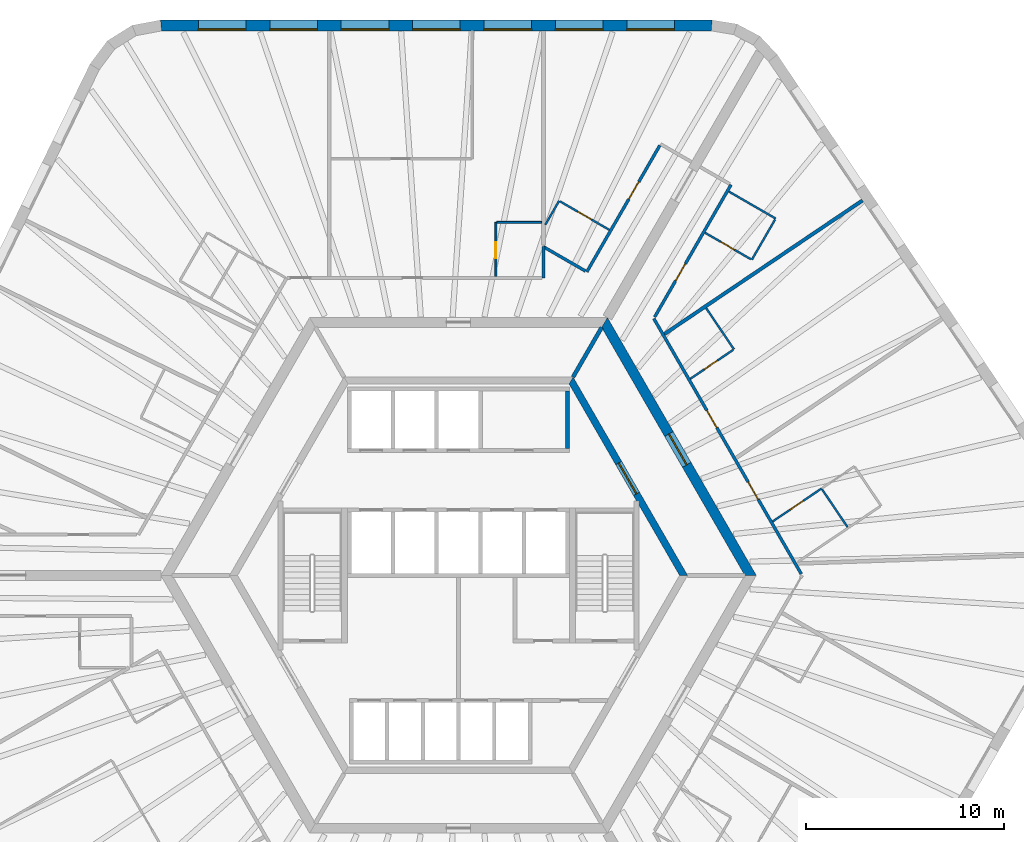
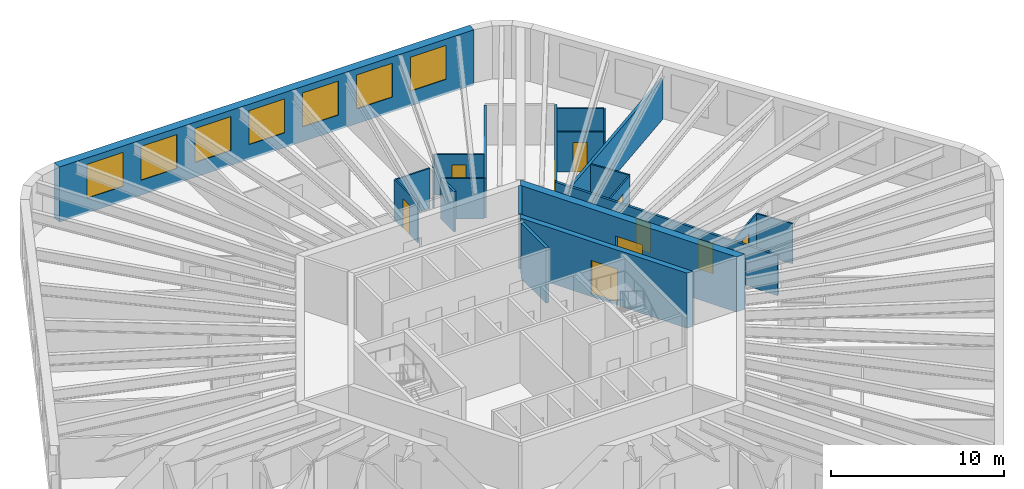
# One storey, part 8 of 10: 22 walls, 11 doors, 7 windows, 18 openings.
"""IFC4 building model written with IfcOpenShell, lengths in metres."""

from ifc_helpers import new_model, si_unit, direction, frame, frame_2d, origin, place, context, subcontext, project, spatial, polyline, rectangle, outline, extrude, material, layer, layer_set, type_object, element, fill, save


model = new_model("IFC4")

# Units and contexts
model_context = context("Model", 3, precision=1e-05, world=origin(), true_north=direction((0.0, 1.0)))
body_context = subcontext(model_context, "Body", "Model", "MODEL_VIEW")
ifc_project = project(units=[si_unit("LENGTHUNIT", "METRE"), si_unit("AREAUNIT", "SQUARE_METRE"), si_unit("VOLUMEUNIT", "CUBIC_METRE"), si_unit("PLANEANGLEUNIT", "RADIAN"), si_unit("MASSUNIT", "GRAM", prefix="KILO")], contexts=[model_context])

# Site, building, storey
site_placement = place(None, origin())
site = spatial("IfcSite", under=ifc_project, at=site_placement, CompositionType="ELEMENT")
building_placement = place(site_placement, origin())
building = spatial("IfcBuilding", under=site, at=building_placement, Name="Tarnside Tower", CompositionType="ELEMENT")
storey_placement = place(building_placement, frame((0.0, 0.0, 242.39990234375)))
storey = spatial("IfcBuildingStorey", under=building, at=storey_placement, Name="L58", CompositionType="ELEMENT", Elevation=242.39990234375)

# Wall
ifc_material_1 = material(Name="Gypsum board partition on steel studs", Category="steel")
ifc_layer_1 = layer(ifc_material_1, 0.10009765625)
ifc_layer_set_1 = layer_set([ifc_layer_1], Name="Bathroom wall 100")
wall_type_1 = type_object("IfcWallType", Name="Bathroom wall 100", PredefinedType="PARTITIONING", material=ifc_layer_set_1)
wall_1_placement = place(storey_placement, frame((4.3720703125, 17.6728515625, 0.0), z_axis=(0.0, 0.0, 1.0), x_axis=(0.50007068215, 0.86598459158, 0.0)))
element("IfcWall", 1, at=wall_1_placement, inside=storey, type_object=wall_type_1, Name="Bathroom wall 19051", PredefinedType="PARTITIONING", context=body_context, shape_type="SweptSolid", body=[
    extrude(rectangle(XDim=1.395751953125, YDim=0.10009765625, at=frame_2d((0.69775390625, 0.0))), origin(), (0.0, 0.0, 1.0), 2.837890625),
])

# Wall, opening, door
wall_2_placement = place(storey_placement, frame((5.11328125, 18.856689453125, 0.0), z_axis=(0.0, 0.0, 1.0), x_axis=(0.866039941686, -0.499974818771, 0.0)))
wall_2 = element("IfcWall", 2, at=wall_2_placement, inside=storey, type_object=wall_type_1, Name="Bathroom wall 19052", PredefinedType="PARTITIONING", context=body_context, shape_type="SweptSolid", body=[
    extrude(rectangle(XDim=2.875244140625, YDim=0.10009765625, at=frame_2d((1.4375, 0.0))), origin(), (0.0, 0.0, 1.0), 2.837890625),
])
opening_1_placement = place(wall_2_placement, frame((1.050048828125, 0.0, 0.0)))
opening_1 = element("IfcOpeningElement", 3, at=opening_1_placement, cuts=wall_2, Name="Opening D-B1", PredefinedType="OPENING", context=body_context, shape_type="SweptSolid", body=[
    extrude(rectangle(XDim=0.800048828125, YDim=2.10009765625, at=frame_2d((0.39990234375, 1.050048828125))), frame((0.0, 0.06005859375, 0.0), z_axis=(0.0, -1.0, 0.0), x_axis=(1.0, 0.0, 0.0)), (0.0, 0.0, 1.0), 0.1201171875),
])
ifc_material_2 = material(Name="Timber door leaf", Category="wood")
door_type_1 = type_object("IfcDoorType", Name="Bathroom door 800", OperationType="NOTDEFINED", PredefinedType="DOOR", material=ifc_material_2)
door_1_placement = place(opening_1_placement, origin())
door_1 = element("IfcDoor", 4, at=door_1_placement, inside=storey, type_object=door_type_1, Name="Bathroom door 19002", OperationType="SINGLE_SWING_RIGHT", OverallHeight=2.10009765625, OverallWidth=0.800048828125, PredefinedType="DOOR", context=body_context, shape_type="SweptSolid", body=[
    extrude(rectangle(XDim=0.800048828125, YDim=2.10009765625, at=frame_2d((0.39990234375, 1.050048828125))), frame((0.0, 0.02490234375, 0.0), z_axis=(0.0, -1.0, 0.0), x_axis=(1.0, 0.0, 0.0)), (0.0, 0.0, 1.0), 0.050048828125),
])
fill(opening_1, door_1)

wall_3_placement = place(storey_placement, frame((1.882080078125, 15.074951171875, 0.0), z_axis=(0.0, 0.0, 1.0), x_axis=(0.0, 1.0, 0.0)))
wall_3 = element("IfcWall", 5, at=wall_3_placement, inside=storey, type_object=wall_type_1, Name="Bathroom wall 19056", PredefinedType="PARTITIONING", context=body_context, shape_type="SweptSolid", body=[
    extrude(rectangle(XDim=2.72509765625, YDim=0.10009765625, at=frame_2d((1.362548828125, 0.0))), origin(), (0.0, 0.0, 1.0), 2.837890625),
])
opening_2_placement = place(wall_3_placement, frame((0.925048828125, 0.0, 0.0)))
opening_2 = element("IfcOpeningElement", 6, at=opening_2_placement, cuts=wall_3, Name="Opening D-B1", PredefinedType="OPENING", context=body_context, shape_type="SweptSolid", body=[
    extrude(rectangle(XDim=0.800048828125, YDim=2.10009765625, at=frame_2d((0.39990234375, 1.050048828125))), frame((0.0, 0.06005859375, 0.0), z_axis=(0.0, -1.0, 0.0), x_axis=(1.0, 0.0, 0.0)), (0.0, 0.0, 1.0), 0.1201171875),
])
door_2_placement = place(opening_2_placement, origin())
door_2 = element("IfcDoor", 7, at=door_2_placement, inside=storey, type_object=door_type_1, Name="Bathroom door 19004", OperationType="SINGLE_SWING_RIGHT", OverallHeight=2.10009765625, OverallWidth=0.800048828125, PredefinedType="DOOR", context=body_context, shape_type="SweptSolid", body=[
    extrude(rectangle(XDim=0.800048828125, YDim=2.10009765625, at=frame_2d((0.39990234375, 1.050048828125))), frame((0.0, 0.02490234375, 0.0), z_axis=(0.0, -1.0, 0.0), x_axis=(1.0, 0.0, 0.0)), (0.0, 0.0, 1.0), 0.050048828125),
])
fill(opening_2, door_2)

# Wall
wall_4_placement = place(storey_placement, frame((1.93212890625, 17.800048828125, 0.0), z_axis=(0.0, 0.0, 1.0), x_axis=(1.0, 0.0, 0.0)))
element("IfcWall", 8, at=wall_4_placement, inside=storey, type_object=wall_type_1, Name="Bathroom wall 19057", PredefinedType="PARTITIONING", context=body_context, shape_type="SweptSolid", body=[
    extrude(rectangle(XDim=2.260009765625, YDim=0.10009765625, at=frame_2d((1.1298828125, 0.0))), origin(), (0.0, 0.0, 1.0), 2.837890625),
])

# Wall, opening, door
wall_5_placement = place(storey_placement, frame((15.837646484375, 2.718505859375, 0.0), z_axis=(0.0, 0.0, 1.0), x_axis=(0.829027811096, 0.559207375156, 0.0)))
wall_5 = element("IfcWall", 9, at=wall_5_placement, inside=storey, type_object=wall_type_1, Name="Bathroom wall 19110", PredefinedType="PARTITIONING", context=body_context, shape_type="SweptSolid", body=[
    extrude(rectangle(XDim=2.9697265625, YDim=0.10009765625, at=frame_2d((1.48486328125, 0.0))), origin(), (0.0, 0.0, 1.0), 2.837890625),
])
opening_3_placement = place(wall_5_placement, frame((1.06982421875, 0.0, 0.0)))
opening_3 = element("IfcOpeningElement", 10, at=opening_3_placement, cuts=wall_5, Name="Opening D-B1", PredefinedType="OPENING", context=body_context, shape_type="SweptSolid", body=[
    extrude(rectangle(XDim=0.800048828125, YDim=2.10009765625, at=frame_2d((0.39990234375, 1.050048828125))), frame((0.0, 0.06005859375, 0.0), z_axis=(0.0, -1.0, 0.0), x_axis=(1.0, 0.0, 0.0)), (0.0, 0.0, 1.0), 0.1201171875),
])
door_3_placement = place(opening_3_placement, origin())
door_3 = element("IfcDoor", 11, at=door_3_placement, inside=storey, type_object=door_type_1, Name="Bathroom door 19033", OperationType="SINGLE_SWING_RIGHT", OverallHeight=2.10009765625, OverallWidth=0.800048828125, PredefinedType="DOOR", context=body_context, shape_type="SweptSolid", body=[
    extrude(rectangle(XDim=0.800048828125, YDim=2.10009765625, at=frame_2d((0.39990234375, 1.050048828125))), frame((0.0, 0.02490234375, 0.0), z_axis=(0.0, -1.0, 0.0), x_axis=(1.0, 0.0, 0.0)), (0.0, 0.0, 1.0), 0.050048828125),
])
fill(opening_3, door_3)

# Walls
wall_6_placement = place(storey_placement, frame((19.61376953125, 2.430908203125, 0.0), z_axis=(0.0, 0.0, 1.0), x_axis=(-0.559199358977, 0.829033218225, 0.0)))
element("IfcWall", 12, at=wall_6_placement, inside=storey, type_object=wall_type_1, Name="Bathroom wall 19116", PredefinedType="PARTITIONING", context=body_context, shape_type="SweptSolid", body=[
    extrude(rectangle(XDim=2.300048828125, YDim=0.10009765625, at=frame_2d((1.14990234375, 0.0))), origin(), (0.0, 0.0, 1.0), 2.837890625),
])
wall_7_placement = place(storey_placement, frame((12.482666015625, 13.47607421875, 0.0), z_axis=(0.0, 0.0, 1.0), x_axis=(0.559203861497, -0.829030181168, 0.0)))
element("IfcWall", 13, at=wall_7_placement, inside=storey, type_object=wall_type_1, Name="Bathroom wall 19117", PredefinedType="PARTITIONING", context=body_context, shape_type="SweptSolid", body=[
    extrude(rectangle(XDim=2.510009765625, YDim=0.10009765625, at=frame_2d((1.2548828125, 0.0))), origin(), (0.0, 0.0, 1.0), 2.837890625),
])

# Wall, opening, door
wall_8_placement = place(storey_placement, frame((13.8447265625, 11.3671875, 0.0), z_axis=(0.0, 0.0, 1.0), x_axis=(-0.829068087245, -0.55914766092, 0.0)))
wall_8 = element("IfcWall", 14, at=wall_8_placement, inside=storey, type_object=wall_type_1, Name="Bathroom wall 19118", PredefinedType="PARTITIONING", context=body_context, shape_type="SweptSolid", body=[
    extrude(rectangle(XDim=2.60498046875, YDim=0.10009765625, at=frame_2d((1.302490234375, 0.0))), origin(), (0.0, 0.0, 1.0), 2.837890625),
])
opening_4_placement = place(wall_8_placement, frame((0.949951171875, 0.0, 0.0)))
opening_4 = element("IfcOpeningElement", 15, at=opening_4_placement, cuts=wall_8, Name="Opening D-B1", PredefinedType="OPENING", context=body_context, shape_type="SweptSolid", body=[
    extrude(rectangle(XDim=0.800048828125, YDim=2.10009765625, at=frame_2d((0.39990234375, 1.050048828125))), frame((0.0, 0.06005859375, 0.0), z_axis=(0.0, -1.0, 0.0), x_axis=(1.0, 0.0, 0.0)), (0.0, 0.0, 1.0), 0.1201171875),
])
door_4_placement = place(opening_4_placement, origin())
door_4 = element("IfcDoor", 16, at=door_4_placement, inside=storey, type_object=door_type_1, Name="Bathroom door 19036", OperationType="SINGLE_SWING_LEFT", OverallHeight=2.10009765625, OverallWidth=0.800048828125, PredefinedType="DOOR", context=body_context, shape_type="SweptSolid", body=[
    extrude(rectangle(XDim=0.800048828125, YDim=2.10009765625, at=frame_2d((0.39990234375, 1.050048828125))), frame((0.0, 0.02490234375, 0.0), z_axis=(0.0, -1.0, 0.0), x_axis=(1.0, 0.0, 0.0)), (0.0, 0.0, 1.0), 0.050048828125),
])
fill(opening_4, door_4)

# Walls
wall_9_placement = place(storey_placement, frame((13.626708984375, 19.352294921875, 0.0), z_axis=(0.0, 0.0, 1.0), x_axis=(0.866012511928, -0.500022328685, 0.0)))
element("IfcWall", 17, at=wall_9_placement, inside=storey, type_object=wall_type_1, Name="Bathroom wall 19121", PredefinedType="PARTITIONING", context=body_context, shape_type="SweptSolid", body=[
    extrude(rectangle(XDim=2.72509765625, YDim=0.10009765625, at=frame_2d((1.362548828125, 0.0))), origin(), (0.0, 0.0, 1.0), 2.837890625),
])
wall_10_placement = place(storey_placement, frame((15.961669921875, 17.946533203125, 0.0), z_axis=(0.0, 0.0, 1.0), x_axis=(-0.500016218704, -0.866016039709, 0.0)))
element("IfcWall", 18, at=wall_10_placement, inside=storey, type_object=wall_type_1, Name="Bathroom wall 19122", PredefinedType="PARTITIONING", context=body_context, shape_type="SweptSolid", body=[
    extrude(rectangle(XDim=2.35009765625, YDim=0.10009765625, at=frame_2d((1.175048828125, 0.0))), origin(), (0.0, 0.0, 1.0), 2.837890625),
])

# Wall, opening, door
wall_11_placement = place(storey_placement, frame((14.743408203125, 15.936279296875, 0.0), z_axis=(0.0, 0.0, 1.0), x_axis=(-0.86604424267, 0.499967368674, 0.0)))
wall_11 = element("IfcWall", 19, at=wall_11_placement, inside=storey, type_object=wall_type_1, Name="Bathroom wall 19123", PredefinedType="PARTITIONING", context=body_context, shape_type="SweptSolid", body=[
    extrude(rectangle(XDim=2.675048828125, YDim=0.10009765625, at=frame_2d((1.33740234375, 0.0))), origin(), (0.0, 0.0, 1.0), 2.837890625),
])
opening_5_placement = place(wall_11_placement, frame((0.949951171875, 0.0, 0.0)))
opening_5 = element("IfcOpeningElement", 20, at=opening_5_placement, cuts=wall_11, Name="Opening D-B1", PredefinedType="OPENING", context=body_context, shape_type="SweptSolid", body=[
    extrude(rectangle(XDim=0.800048828125, YDim=2.10009765625, at=frame_2d((0.39990234375, 1.050048828125))), frame((0.0, 0.06005859375, 0.0), z_axis=(0.0, -1.0, 0.0), x_axis=(1.0, 0.0, 0.0)), (0.0, 0.0, 1.0), 0.1201171875),
])
door_5_placement = place(opening_5_placement, origin())
door_5 = element("IfcDoor", 21, at=door_5_placement, inside=storey, type_object=door_type_1, Name="Bathroom door 19038", OperationType="SINGLE_SWING_RIGHT", OverallHeight=2.10009765625, OverallWidth=0.800048828125, PredefinedType="DOOR", context=body_context, shape_type="SweptSolid", body=[
    extrude(rectangle(XDim=0.800048828125, YDim=2.10009765625, at=frame_2d((0.39990234375, 1.050048828125))), frame((0.0, 0.02490234375, 0.0), z_axis=(0.0, -1.0, 0.0), x_axis=(1.0, 0.0, 0.0)), (0.0, 0.0, 1.0), 0.050048828125),
])
fill(opening_5, door_5)

ifc_material_3 = material(Name="Concrete C50/60", Category="concrete")
ifc_layer_2 = layer(ifc_material_3, 0.35009765625)
ifc_layer_set_2 = layer_set([ifc_layer_2], Name="Core block wall 350 C50/60")
wall_type_2 = type_object("IfcWallType", Name="Core block wall 350 C50/60", PredefinedType="SHEAR", material=ifc_layer_set_2)
wall_12_placement = place(storey_placement, frame((11.344970703125, 0.0, -0.14990234375), z_axis=(0.0, 0.0, 1.0), x_axis=(-0.499995046907, 0.866028263435, 0.0)))
wall_12 = element("IfcWall", 22, at=wall_12_placement, inside=storey, type_object=wall_type_2, Name="L58 core block wall face 6", PredefinedType="SHEAR", context=body_context, shape_type="SweptSolid", body=[
    extrude(outline(polyline([(-0.10107421875, -0.175048828125), (11.44580078125, -0.175048828125), (11.24365234375, 0.175048828125), (0.10107421875, 0.175048828125), (-0.10107421875, -0.175048828125)])), origin(), (0.0, 0.0, 1.0), 3.89990234375),
])
opening_6_placement = place(wall_12_placement, frame((4.74365234375, 0.0, 0.14990234375)))
opening_6 = element("IfcOpeningElement", 23, at=opening_6_placement, cuts=wall_12, Name="Opening CD-LOB", PredefinedType="OPENING", context=body_context, shape_type="SweptSolid", body=[
    extrude(rectangle(XDim=1.800048828125, YDim=2.39990234375, at=frame_2d((0.89990234375, 1.199951171875))), frame((0.0, 0.18505859375, 0.0), z_axis=(0.0, -1.0, 0.0), x_axis=(1.0, 0.0, 0.0)), (0.0, 0.0, 1.0), 0.3701171875),
])
ifc_material_4 = material(Name="Steel fire door", Category="steel")
door_type_2 = type_object("IfcDoorType", Name="Lobby double door FD30S 1800x2400", OperationType="NOTDEFINED", PredefinedType="DOOR", material=ifc_material_4)
door_6_placement = place(opening_6_placement, origin())
door_6 = element("IfcDoor", 24, at=door_6_placement, inside=storey, type_object=door_type_2, Name="L58 lobby block door P2", OperationType="DOUBLE_DOOR_SINGLE_SWING", OverallHeight=2.39990234375, OverallWidth=1.800048828125, PredefinedType="DOOR", context=body_context, shape_type="SweptSolid", body=[
    extrude(rectangle(XDim=1.800048828125, YDim=2.39990234375, at=frame_2d((0.89990234375, 1.199951171875))), frame((0.0, 0.02490234375, 0.0), z_axis=(0.0, -1.0, 0.0), x_axis=(1.0, 0.0, 0.0)), (0.0, 0.0, 1.0), 0.050048828125),
])
fill(opening_6, door_6)

ifc_material_5 = material(Name="Concrete C70/85", Category="concrete")
ifc_layer_3 = layer(ifc_material_5, 0.5)
ifc_layer_set_3 = layer_set([ifc_layer_3], Name="Core wall Z2 500 C70/85")
wall_type_3 = type_object("IfcWallType", Name="Core wall Z2 500 C70/85", PredefinedType="SHEAR", material=ifc_layer_set_3)
wall_13_placement = place(storey_placement, frame((14.722412109375, 0.0, -0.14990234375), z_axis=(0.0, 0.0, 1.0), x_axis=(-0.50000571537, 0.866022103989, 0.0)))
wall_13 = element("IfcWall", 25, at=wall_13_placement, inside=storey, type_object=wall_type_3, Name="L58 core wall face 6", PredefinedType="SHEAR", context=body_context, shape_type="SweptSolid", body=[
    extrude(outline(polyline([(-0.144287109375, -0.25), (14.86669921875, -0.25), (14.578125, 0.25), (0.144287109375, 0.25), (-0.144287109375, -0.25)])), origin(), (0.0, 0.0, 1.0), 3.89990234375),
])
opening_7_placement = place(wall_13_placement, frame((6.432373046875, 0.0, 0.14990234375)))
opening_7 = element("IfcOpeningElement", 26, at=opening_7_placement, cuts=wall_13, Name="Opening CD-LOB", PredefinedType="OPENING", context=body_context, shape_type="SweptSolid", body=[
    extrude(rectangle(XDim=1.800048828125, YDim=2.39990234375, at=frame_2d((0.89990234375, 1.199951171875))), frame((0.0, 0.260009765625, 0.0), z_axis=(0.0, -1.0, 0.0), x_axis=(1.0, 0.0, 0.0)), (0.0, 0.0, 1.0), 0.52001953125),
])
door_7_placement = place(opening_7_placement, origin())
door_7 = element("IfcDoor", 27, at=door_7_placement, inside=storey, type_object=door_type_2, Name="L58 core door P2", OperationType="DOUBLE_DOOR_SINGLE_SWING", OverallHeight=2.39990234375, OverallWidth=1.800048828125, PredefinedType="DOOR", context=body_context, shape_type="SweptSolid", body=[
    extrude(rectangle(XDim=1.800048828125, YDim=2.39990234375, at=frame_2d((0.89990234375, 1.199951171875))), frame((0.0, 0.02490234375, 0.0), z_axis=(0.0, -1.0, 0.0), x_axis=(1.0, 0.0, 0.0)), (0.0, 0.0, 1.0), 0.050048828125),
])
fill(opening_7, door_7)

ifc_layer_4 = layer(ifc_material_1, 0.14990234375)
ifc_layer_set_4 = layer_set([ifc_layer_4], Name="Corridor wall 150 EI 60")
wall_type_4 = type_object("IfcWallType", Name="Corridor wall 150 EI 60", PredefinedType="PARTITIONING", material=ifc_layer_set_4)
wall_14_placement = place(storey_placement, frame((10.148681640625, 21.677978515625, 0.0), z_axis=(0.0, 0.0, 1.0), x_axis=(-0.500020076982, -0.866013812023, 0.0)))
wall_14 = element("IfcWall", 28, at=wall_14_placement, inside=storey, type_object=wall_type_4, Name="Corridor wall 19002", PredefinedType="PARTITIONING", context=body_context, shape_type="SweptSolid", body=[
    extrude(rectangle(XDim=7.361083984375, YDim=0.14990234375, at=frame_2d((3.6806640625, 0.0))), origin(), (0.0, 0.0, 1.0), 2.837890625),
])
opening_8_placement = place(wall_14_placement, frame((2.117919921875, 0.0, 0.0)))
opening_8 = element("IfcOpeningElement", 29, at=opening_8_placement, cuts=wall_14, Name="Opening D-E1", PredefinedType="OPENING", context=body_context, shape_type="SweptSolid", body=[
    extrude(rectangle(XDim=1.0, YDim=2.10009765625, at=frame_2d((0.5, 1.050048828125))), frame((0.0, 0.0849609375, 0.0), z_axis=(0.0, -1.0, 0.0), x_axis=(1.0, 0.0, 0.0)), (0.0, 0.0, 1.0), 0.169921875),
])
door_type_3 = type_object("IfcDoorType", Name="Unit entrance door 1000 FD30S", OperationType="NOTDEFINED", PredefinedType="DOOR", material=ifc_material_2)
door_8_placement = place(opening_8_placement, origin())
door_8 = element("IfcDoor", 30, at=door_8_placement, inside=storey, type_object=door_type_3, Name="Unit door 19001", OperationType="SINGLE_SWING_LEFT", OverallHeight=2.10009765625, OverallWidth=1.0, PredefinedType="DOOR", context=body_context, shape_type="SweptSolid", body=[
    extrude(rectangle(XDim=1.0, YDim=2.10009765625, at=frame_2d((0.5, 1.050048828125))), frame((0.0, 0.02490234375, 0.0), z_axis=(0.0, -1.0, 0.0), x_axis=(1.0, 0.0, 0.0)), (0.0, 0.0, 1.0), 0.050048828125),
])
fill(opening_8, door_8)

# Walls
wall_15_placement = place(storey_placement, frame((6.403076171875, 15.340576171875, 0.0), z_axis=(0.0, 0.0, 1.0), x_axis=(-0.8660013066, 0.500041735226, 0.0)))
element("IfcWall", 31, at=wall_15_placement, inside=storey, type_object=wall_type_4, Name="Corridor wall 19004", PredefinedType="PARTITIONING", context=body_context, shape_type="SweptSolid", body=[
    extrude(rectangle(XDim=2.448974609375, YDim=0.14990234375, at=frame_2d((1.224609375, 0.0))), origin(), (0.0, 0.0, 1.0), 2.837890625),
])
wall_16_placement = place(storey_placement, frame((4.2822265625, 16.569091796875, 0.0), z_axis=(0.0, 0.0, 1.0), x_axis=(0.0, -1.0, 0.0)))
element("IfcWall", 32, at=wall_16_placement, inside=storey, type_object=wall_type_4, Name="Corridor wall 19006", PredefinedType="PARTITIONING", context=body_context, shape_type="SweptSolid", body=[
    extrude(rectangle(XDim=1.569091796875, YDim=0.14990234375, at=frame_2d((0.78466796875, 0.0))), origin(), (0.0, 0.0, 1.0), 2.837890625),
])

# Wall, openings, doors
wall_17_placement = place(storey_placement, frame((17.277099609375, 0.074951171875, 0.0), z_axis=(0.0, 0.0, 1.0), x_axis=(-0.499998228944, 0.866026426302, 0.0)))
wall_17 = element("IfcWall", 33, at=wall_17_placement, inside=storey, type_object=wall_type_4, Name="Corridor wall 19041", PredefinedType="PARTITIONING", context=body_context, shape_type="SweptSolid", body=[
    extrude(rectangle(XDim=14.86669921875, YDim=0.14990234375, at=frame_2d((7.433349609375, 0.0))), origin(), (0.0, 0.0, 1.0), 2.837890625),
])
opening_9_placement = place(wall_17_placement, frame((4.3447265625, 0.0, 0.0)))
opening_9 = element("IfcOpeningElement", 34, at=opening_9_placement, cuts=wall_17, Name="Opening D-E1", PredefinedType="OPENING", context=body_context, shape_type="SweptSolid", body=[
    extrude(rectangle(XDim=1.0, YDim=2.10009765625, at=frame_2d((0.5, 1.050048828125))), frame((0.0, 0.0849609375, 0.0), z_axis=(0.0, -1.0, 0.0), x_axis=(1.0, 0.0, 0.0)), (0.0, 0.0, 1.0), 0.169921875),
])
opening_10_placement = place(wall_17_placement, frame((8.509521484375, 0.0, 0.0)))
opening_10 = element("IfcOpeningElement", 35, at=opening_10_placement, cuts=wall_17, Name="Opening D-E1", PredefinedType="OPENING", context=body_context, shape_type="SweptSolid", body=[
    extrude(rectangle(XDim=1.0, YDim=2.10009765625, at=frame_2d((0.5, 1.050048828125))), frame((0.0, 0.0849609375, 0.0), z_axis=(0.0, -1.0, 0.0), x_axis=(1.0, 0.0, 0.0)), (0.0, 0.0, 1.0), 0.169921875),
])
door_9_placement = place(opening_9_placement, origin())
door_9 = element("IfcDoor", 36, at=door_9_placement, inside=storey, type_object=door_type_3, Name="Unit door 19032", OperationType="SINGLE_SWING_LEFT", OverallHeight=2.10009765625, OverallWidth=1.0, PredefinedType="DOOR", context=body_context, shape_type="SweptSolid", body=[
    extrude(rectangle(XDim=1.0, YDim=2.10009765625, at=frame_2d((0.5, 1.050048828125))), frame((0.0, 0.02490234375, 0.0), z_axis=(0.0, -1.0, 0.0), x_axis=(1.0, 0.0, 0.0)), (0.0, 0.0, 1.0), 0.050048828125),
])
fill(opening_9, door_9)
door_10_placement = place(opening_10_placement, origin())
door_10 = element("IfcDoor", 37, at=door_10_placement, inside=storey, type_object=door_type_3, Name="Unit door 19035", OperationType="SINGLE_SWING_RIGHT", OverallHeight=2.10009765625, OverallWidth=1.0, PredefinedType="DOOR", context=body_context, shape_type="SweptSolid", body=[
    extrude(rectangle(XDim=1.0, YDim=2.10009765625, at=frame_2d((0.5, 1.050048828125))), frame((0.0, 0.02490234375, 0.0), z_axis=(0.0, -1.0, 0.0), x_axis=(1.0, 0.0, 0.0)), (0.0, 0.0, 1.0), 0.050048828125),
])
fill(opening_10, door_10)

# Wall, opening, door
wall_18_placement = place(storey_placement, frame((9.88720703125, 13.02490234375, 0.0), z_axis=(0.0, 0.0, 1.0), x_axis=(0.499985955615, 0.866033512162, 0.0)))
wall_18 = element("IfcWall", 38, at=wall_18_placement, inside=storey, type_object=wall_type_4, Name="Corridor wall 19047", PredefinedType="PARTITIONING", context=body_context, shape_type="SweptSolid", body=[
    extrude(rectangle(XDim=7.699462890625, YDim=0.14990234375, at=frame_2d((3.849609375, 0.0))), origin(), (0.0, 0.0, 1.0), 2.837890625),
])
opening_11_placement = place(wall_18_placement, frame((2.1064453125, 0.0, 0.0)))
opening_11 = element("IfcOpeningElement", 39, at=opening_11_placement, cuts=wall_18, Name="Opening D-E1", PredefinedType="OPENING", context=body_context, shape_type="SweptSolid", body=[
    extrude(rectangle(XDim=1.0, YDim=2.10009765625, at=frame_2d((0.5, 1.050048828125))), frame((0.0, 0.0849609375, 0.0), z_axis=(0.0, -1.0, 0.0), x_axis=(1.0, 0.0, 0.0)), (0.0, 0.0, 1.0), 0.169921875),
])
door_11_placement = place(opening_11_placement, origin())
door_11 = element("IfcDoor", 40, at=door_11_placement, inside=storey, type_object=door_type_3, Name="Unit door 19037", OperationType="SINGLE_SWING_RIGHT", OverallHeight=2.10009765625, OverallWidth=1.0, PredefinedType="DOOR", context=body_context, shape_type="SweptSolid", body=[
    extrude(rectangle(XDim=1.0, YDim=2.10009765625, at=frame_2d((0.5, 1.050048828125))), frame((0.0, 0.02490234375, 0.0), z_axis=(0.0, -1.0, 0.0), x_axis=(1.0, 0.0, 0.0)), (0.0, 0.0, 1.0), 0.050048828125),
])
fill(opening_11, door_11)

# Walls
ifc_layer_5 = layer(ifc_material_1, 0.179931640625)
ifc_layer_set_5 = layer_set([ifc_layer_5], Name="Demising wall 180 EI 60")
wall_type_5 = type_object("IfcWallType", Name="Demising wall 180 EI 60", PredefinedType="PARTITIONING", material=ifc_layer_set_5)
wall_19_placement = place(storey_placement, frame((20.362548828125, 18.89990234375, 0.0), z_axis=(0.0, 0.0, 1.0), x_axis=(-0.829027307641, -0.559208121531, 0.0)))
element("IfcWall", 41, at=wall_19_placement, inside=storey, type_object=wall_type_5, Name="Demising wall 19119", PredefinedType="PARTITIONING", context=body_context, shape_type="SweptSolid", body=[
    extrude(rectangle(XDim=12.038818359375, YDim=0.179931640625, at=frame_2d((6.01953125, 0.0))), origin(), (0.0, 0.0, 1.0), 2.837890625),
])
ifc_material_6 = material(Name="Concrete C40/50", Category="concrete")
ifc_layer_6 = layer(ifc_material_6, 0.199951171875)
ifc_layer_set_6 = layer_set([ifc_layer_6], Name="Lift shaft wall 200 C40/50")
wall_type_6 = type_object("IfcWallType", Name="Lift shaft wall 200 C40/50", PredefinedType="SHEAR", material=ifc_layer_set_6)
wall_20_placement = place(storey_placement, frame((5.5, 6.39990234375, -0.25), z_axis=(0.0, 0.0, 1.0), x_axis=(0.0, 1.0, 0.0)))
element("IfcWall", 42, at=wall_20_placement, inside=storey, type_object=wall_type_6, Name="L58 lift shaft partition R16", PredefinedType="SHEAR", context=body_context, shape_type="SweptSolid", body=[
    extrude(rectangle(XDim=2.900146484375, YDim=0.199951171875, at=frame_2d((1.4501953125, 0.0))), origin(), (0.0, 0.0, 1.0), 3.900146484375),
])
wall_21_placement = place(storey_placement, frame((5.7734375, 10.0, -0.14990234375), z_axis=(0.0, 0.0, 1.0), x_axis=(0.499995765644, 0.866027848477, 0.0)))
element("IfcWall", 43, at=wall_21_placement, inside=storey, type_object=wall_type_6, Name="L58 core partition AR60", PredefinedType="SHEAR", context=body_context, shape_type="SweptSolid", body=[
    extrude(rectangle(XDim=2.88671875, YDim=0.199951171875, at=frame_2d((1.443359375, 0.0))), origin(), (0.0, 0.0, 1.0), 3.89990234375),
])

# Wall, openings, windows
ifc_material_7 = material(Name="Facing brick", Category="masonry")
ifc_layer_7 = layer(ifc_material_7, 0.10205078125)
ifc_material_8 = material(Name="Concrete C60/75 precast", Category="concrete")
ifc_layer_8 = layer(ifc_material_8, 0.347900390625)
ifc_material_9 = material(Name="Mineral wool insulation")
ifc_layer_9 = layer(ifc_material_9, 0.10009765625)
ifc_layer_set_7 = layer_set([ifc_layer_7, ifc_layer_8, ifc_layer_9], Name="Tube wall 550 brick faced")
wall_type_7 = type_object("IfcWallType", Name="Tube wall 550 brick faced", PredefinedType="SOLIDWALL", material=ifc_layer_set_7)
wall_22_placement = place(storey_placement, frame((12.760986328125, 27.72509765625, -0.14990234375), z_axis=(0.0, 0.0, 1.0), x_axis=(-1.0, 0.0, 0.0)))
wall_22 = element("IfcWall", 44, at=wall_22_placement, inside=storey, type_object=wall_type_7, Name="Tube wall L58 F1 flush 00", PredefinedType="SOLIDWALL", context=body_context, shape_type="SweptSolid", body=[
    extrude(outline(polyline([(-0.0224609375, -0.27490234375), (27.783447265625, -0.27490234375), (27.732177734375, 0.27490234375), (0.0224609375, 0.27490234375), (-0.0224609375, -0.27490234375)])), origin(), (0.0, 0.0, 1.0), 3.89990234375),
])
opening_12_placement = place(wall_22_placement, frame((1.87890625, 0.0, 1.050048828125)))
opening_12 = element("IfcOpeningElement", 45, at=opening_12_placement, cuts=wall_22, Name="Opening WH", PredefinedType="OPENING", context=body_context, shape_type="SweptSolid", body=[
    extrude(rectangle(XDim=2.39990234375, YDim=2.39990234375, at=frame_2d((1.199951171875, 1.199951171875))), frame((0.0, 0.28515625, 0.0), z_axis=(0.0, -1.0, 0.0), x_axis=(1.0, 0.0, 0.0)), (0.0, 0.0, 1.0), 0.570068359375),
])
opening_13_placement = place(wall_22_placement, frame((5.47900390625, 0.0, 1.050048828125)))
opening_13 = element("IfcOpeningElement", 46, at=opening_13_placement, cuts=wall_22, Name="Opening WH", PredefinedType="OPENING", context=body_context, shape_type="SweptSolid", body=[
    extrude(rectangle(XDim=2.39990234375, YDim=2.39990234375, at=frame_2d((1.199951171875, 1.199951171875))), frame((0.0, 0.28515625, 0.0), z_axis=(0.0, -1.0, 0.0), x_axis=(1.0, 0.0, 0.0)), (0.0, 0.0, 1.0), 0.570068359375),
])
opening_14_placement = place(wall_22_placement, frame((9.078857421875, 0.0, 1.050048828125)))
opening_14 = element("IfcOpeningElement", 47, at=opening_14_placement, cuts=wall_22, Name="Opening WH", PredefinedType="OPENING", context=body_context, shape_type="SweptSolid", body=[
    extrude(rectangle(XDim=2.39990234375, YDim=2.39990234375, at=frame_2d((1.199951171875, 1.199951171875))), frame((0.0, 0.28515625, 0.0), z_axis=(0.0, -1.0, 0.0), x_axis=(1.0, 0.0, 0.0)), (0.0, 0.0, 1.0), 0.570068359375),
])
opening_15_placement = place(wall_22_placement, frame((12.678955078125, 0.0, 1.050048828125)))
opening_15 = element("IfcOpeningElement", 48, at=opening_15_placement, cuts=wall_22, Name="Opening WH", PredefinedType="OPENING", context=body_context, shape_type="SweptSolid", body=[
    extrude(rectangle(XDim=2.39990234375, YDim=2.39990234375, at=frame_2d((1.199951171875, 1.199951171875))), frame((0.0, 0.28515625, 0.0), z_axis=(0.0, -1.0, 0.0), x_axis=(1.0, 0.0, 0.0)), (0.0, 0.0, 1.0), 0.570068359375),
])
opening_16_placement = place(wall_22_placement, frame((16.27880859375, 0.0, 1.050048828125)))
opening_16 = element("IfcOpeningElement", 49, at=opening_16_placement, cuts=wall_22, Name="Opening WH", PredefinedType="OPENING", context=body_context, shape_type="SweptSolid", body=[
    extrude(rectangle(XDim=2.39990234375, YDim=2.39990234375, at=frame_2d((1.199951171875, 1.199951171875))), frame((0.0, 0.28515625, 0.0), z_axis=(0.0, -1.0, 0.0), x_axis=(1.0, 0.0, 0.0)), (0.0, 0.0, 1.0), 0.570068359375),
])
opening_17_placement = place(wall_22_placement, frame((19.87890625, 0.0, 1.050048828125)))
opening_17 = element("IfcOpeningElement", 50, at=opening_17_placement, cuts=wall_22, Name="Opening WH", PredefinedType="OPENING", context=body_context, shape_type="SweptSolid", body=[
    extrude(rectangle(XDim=2.39990234375, YDim=2.39990234375, at=frame_2d((1.199951171875, 1.199951171875))), frame((0.0, 0.28515625, 0.0), z_axis=(0.0, -1.0, 0.0), x_axis=(1.0, 0.0, 0.0)), (0.0, 0.0, 1.0), 0.570068359375),
])
opening_18_placement = place(wall_22_placement, frame((23.47900390625, 0.0, 1.050048828125)))
opening_18 = element("IfcOpeningElement", 51, at=opening_18_placement, cuts=wall_22, Name="Opening WH", PredefinedType="OPENING", context=body_context, shape_type="SweptSolid", body=[
    extrude(rectangle(XDim=2.39990234375, YDim=2.39990234375, at=frame_2d((1.199951171875, 1.199951171875))), frame((0.0, 0.28515625, 0.0), z_axis=(0.0, -1.0, 0.0), x_axis=(1.0, 0.0, 0.0)), (0.0, 0.0, 1.0), 0.570068359375),
])
ifc_material_10 = material(Name="Aluminium-framed double glazing", Category="aluminium")
window_type = type_object("IfcWindowType", Name="Hotel window 2400 x 2400", PartitioningType="DOUBLE_PANEL_VERTICAL", PredefinedType="WINDOW", material=ifc_material_10)
window_1_placement = place(opening_12_placement, frame((0.0, 0.205078125, 0.0)))
window_1 = element("IfcWindow", 52, at=window_1_placement, inside=storey, type_object=window_type, Name="E.WN.L58.F1.00", OverallHeight=2.39990234375, OverallWidth=2.39990234375, PartitioningType="DOUBLE_PANEL_VERTICAL", PredefinedType="WINDOW", context=body_context, shape_type="SweptSolid", body=[
    extrude(rectangle(XDim=2.39990234375, YDim=2.39990234375, at=frame_2d((1.199951171875, 1.199951171875))), frame((0.0, 0.030029296875, 0.0), z_axis=(0.0, -1.0, 0.0), x_axis=(1.0, 0.0, 0.0)), (0.0, 0.0, 1.0), 0.06005859375),
])
fill(opening_12, window_1)
window_2_placement = place(opening_13_placement, frame((0.0, 0.205078125, 0.0)))
window_2 = element("IfcWindow", 53, at=window_2_placement, inside=storey, type_object=window_type, Name="E.WN.L58.F1.01", OverallHeight=2.39990234375, OverallWidth=2.39990234375, PartitioningType="DOUBLE_PANEL_VERTICAL", PredefinedType="WINDOW", context=body_context, shape_type="SweptSolid", body=[
    extrude(rectangle(XDim=2.39990234375, YDim=2.39990234375, at=frame_2d((1.199951171875, 1.199951171875))), frame((0.0, 0.030029296875, 0.0), z_axis=(0.0, -1.0, 0.0), x_axis=(1.0, 0.0, 0.0)), (0.0, 0.0, 1.0), 0.06005859375),
])
fill(opening_13, window_2)
window_3_placement = place(opening_14_placement, frame((0.0, 0.205078125, 0.0)))
window_3 = element("IfcWindow", 54, at=window_3_placement, inside=storey, type_object=window_type, Name="E.WN.L58.F1.02", OverallHeight=2.39990234375, OverallWidth=2.39990234375, PartitioningType="DOUBLE_PANEL_VERTICAL", PredefinedType="WINDOW", context=body_context, shape_type="SweptSolid", body=[
    extrude(rectangle(XDim=2.39990234375, YDim=2.39990234375, at=frame_2d((1.199951171875, 1.199951171875))), frame((0.0, 0.030029296875, 0.0), z_axis=(0.0, -1.0, 0.0), x_axis=(1.0, 0.0, 0.0)), (0.0, 0.0, 1.0), 0.06005859375),
])
fill(opening_14, window_3)
window_4_placement = place(opening_15_placement, frame((0.0, 0.205078125, 0.0)))
window_4 = element("IfcWindow", 55, at=window_4_placement, inside=storey, type_object=window_type, Name="E.WN.L58.F1.03", OverallHeight=2.39990234375, OverallWidth=2.39990234375, PartitioningType="DOUBLE_PANEL_VERTICAL", PredefinedType="WINDOW", context=body_context, shape_type="SweptSolid", body=[
    extrude(rectangle(XDim=2.39990234375, YDim=2.39990234375, at=frame_2d((1.199951171875, 1.199951171875))), frame((0.0, 0.030029296875, 0.0), z_axis=(0.0, -1.0, 0.0), x_axis=(1.0, 0.0, 0.0)), (0.0, 0.0, 1.0), 0.06005859375),
])
fill(opening_15, window_4)
window_5_placement = place(opening_16_placement, frame((0.0, 0.205078125, 0.0)))
window_5 = element("IfcWindow", 56, at=window_5_placement, inside=storey, type_object=window_type, Name="E.WN.L58.F1.04", OverallHeight=2.39990234375, OverallWidth=2.39990234375, PartitioningType="DOUBLE_PANEL_VERTICAL", PredefinedType="WINDOW", context=body_context, shape_type="SweptSolid", body=[
    extrude(rectangle(XDim=2.39990234375, YDim=2.39990234375, at=frame_2d((1.199951171875, 1.199951171875))), frame((0.0, 0.030029296875, 0.0), z_axis=(0.0, -1.0, 0.0), x_axis=(1.0, 0.0, 0.0)), (0.0, 0.0, 1.0), 0.06005859375),
])
fill(opening_16, window_5)
window_6_placement = place(opening_17_placement, frame((0.0, 0.205078125, 0.0)))
window_6 = element("IfcWindow", 57, at=window_6_placement, inside=storey, type_object=window_type, Name="E.WN.L58.F1.05", OverallHeight=2.39990234375, OverallWidth=2.39990234375, PartitioningType="DOUBLE_PANEL_VERTICAL", PredefinedType="WINDOW", context=body_context, shape_type="SweptSolid", body=[
    extrude(rectangle(XDim=2.39990234375, YDim=2.39990234375, at=frame_2d((1.199951171875, 1.199951171875))), frame((0.0, 0.030029296875, 0.0), z_axis=(0.0, -1.0, 0.0), x_axis=(1.0, 0.0, 0.0)), (0.0, 0.0, 1.0), 0.06005859375),
])
fill(opening_17, window_6)
window_7_placement = place(opening_18_placement, frame((0.0, 0.205078125, 0.0)))
window_7 = element("IfcWindow", 58, at=window_7_placement, inside=storey, type_object=window_type, Name="E.WN.L58.F1.06", OverallHeight=2.39990234375, OverallWidth=2.39990234375, PartitioningType="DOUBLE_PANEL_VERTICAL", PredefinedType="WINDOW", context=body_context, shape_type="SweptSolid", body=[
    extrude(rectangle(XDim=2.39990234375, YDim=2.39990234375, at=frame_2d((1.199951171875, 1.199951171875))), frame((0.0, 0.030029296875, 0.0), z_axis=(0.0, -1.0, 0.0), x_axis=(1.0, 0.0, 0.0)), (0.0, 0.0, 1.0), 0.06005859375),
])
fill(opening_18, window_7)

save(model, "model.ifc")
